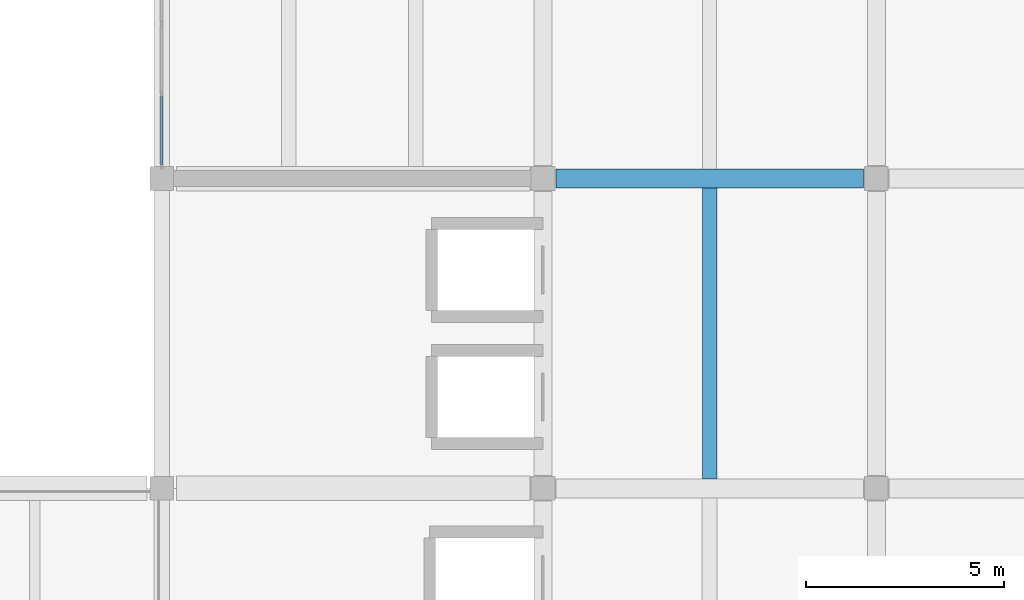
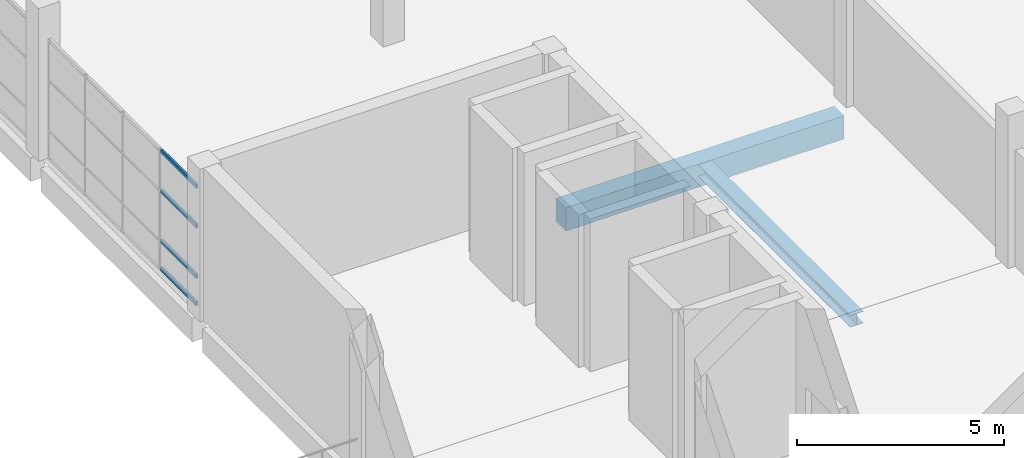
# One storey, part 24 of 71: 4 members, 2 beams, 1 element without a shape of its own.
"""IFC4 building model written with IfcOpenShell, lengths in metres."""

import ifcopenshell
import ifcopenshell.guid

model = None  # the IFC model being written
_history = None  # IfcOwnerHistory: only IFC2X3 demands one
_inside = {}  # id of a spatial element -> (the spatial element, [elements in it])
_under = {}  # id of a project, library or spatial element -> (it, [spatial elements below it])
_declared = {}  # id of a project -> (the project, [libraries it declares])
_typed = {}  # id of a type object -> (the type object, [elements of that type])
_made_of = {}  # id of a material, layer set ... -> (it, [elements and type objects made of it])


def new_model(schema):
    """Start an empty IFC model of exactly this schema.

    Asked for "IFC4X3", IfcOpenShell would pick the latest addendum, in which some entities
    have other attributes; the version numbers below select the first issue.
    IFC2X3 requires an IfcOwnerHistory on every rooted entity: one is made here for all.
    """
    global model, _history
    if schema == "IFC4X3":
        model = ifcopenshell.file(schema_version=(4, 3, 0, 0))
    else:
        model = ifcopenshell.file(schema=schema)
    _inside.clear()
    _under.clear()
    _declared.clear()
    _typed.clear()
    _made_of.clear()
    _history = None
    if model.schema == "IFC2X3":
        org = make("IfcOrganization", Name="unknown")
        user = make(
            "IfcPersonAndOrganization",
            ThePerson=make("IfcPerson", FamilyName="unknown"),
            TheOrganization=org,
        )
        app = make(
            "IfcApplication",
            ApplicationDeveloper=org,
            Version="unknown",
            ApplicationFullName="unknown",
            ApplicationIdentifier="unknown",
        )
        _history = make(
            "IfcOwnerHistory",
            OwningUser=user,
            OwningApplication=app,
            ChangeAction="ADDED",
            CreationDate=0,
        )
    return model


def make(cls, **values):
    """One entity of the class cls with the attributes given. An attribute that is None is left unset."""
    return model.create_entity(
        cls, **{name: value for name, value in values.items() if value is not None}
    )


def rooted(cls, **values):
    """An entity with a GlobalId (a new one), such as an element, a storey or a relation."""
    return make(cls, GlobalId=ifcopenshell.guid.new(), OwnerHistory=_history, **values)


def si_unit(unit_type, name, prefix=None):
    """IfcSIUnit, for example si_unit("LENGTHUNIT", "METRE", prefix="MILLI")."""
    return make("IfcSIUnit", UnitType=unit_type, Prefix=prefix, Name=name)


def assignment(units):
    """IfcUnitAssignment: the units of a project."""
    return None if units is None else make("IfcUnitAssignment", Units=units)


def point(xyz):
    """IfcCartesianPoint."""
    return None if xyz is None else make("IfcCartesianPoint", Coordinates=xyz)


def direction(xyz):
    """IfcDirection."""
    return None if xyz is None else make("IfcDirection", DirectionRatios=xyz)


def frame(location, z_axis=None, x_axis=None):
    """IfcAxis2Placement3D, a coordinate frame: its origin and axes. An axis left out is left unset."""
    return make(
        "IfcAxis2Placement3D",
        Location=point(location),
        Axis=direction(z_axis),
        RefDirection=direction(x_axis),
    )


def frame_2d(location, x_axis=None):
    """IfcAxis2Placement2D, a coordinate frame in the plane: its origin and x axis."""
    return make(
        "IfcAxis2Placement2D", Location=point(location), RefDirection=direction(x_axis)
    )


def origin():
    """The frame at (0, 0, 0) with its axes left unset."""
    return frame((0.0, 0.0, 0.0))


def origin_2d():
    """The frame at (0, 0) in the plane with its x axis left unset."""
    return frame_2d((0.0, 0.0))


def place(relative_to, where):
    """IfcLocalPlacement: puts the frame where relative to a parent placement (None: the world)."""
    return make(
        "IfcLocalPlacement", PlacementRelTo=relative_to, RelativePlacement=where
    )


def context(
    kind, dimensions, precision=None, world=None, true_north=None, identifier=None
):
    """IfcGeometricRepresentationContext, for example the 3D "Model" context."""
    return make(
        "IfcGeometricRepresentationContext",
        ContextIdentifier=identifier,
        ContextType=kind,
        CoordinateSpaceDimension=dimensions,
        Precision=precision,
        WorldCoordinateSystem=world,
        TrueNorth=true_north,
    )


def subcontext(parent, identifier, kind, view, scale=None):
    """IfcGeometricRepresentationSubContext, for example "Body" below "Model"."""
    return make(
        "IfcGeometricRepresentationSubContext",
        ContextIdentifier=identifier,
        ContextType=kind,
        ParentContext=parent,
        TargetScale=scale,
        TargetView=view,
    )


def project(units=None, contexts=None):
    """IfcProject with its units and contexts."""
    return rooted(
        "IfcProject",
        Name="project",
        RepresentationContexts=contexts,
        UnitsInContext=assignment(units),
    )


def spatial(cls, under=None, at=None, **own):
    """A site, building, storey or space (cls), placed at a placement, below another one or the project."""
    s = rooted(cls, ObjectPlacement=at, **own)
    if under is not None:
        _under.setdefault(under.id(), (under, []))[1].append(s)
    return s


def profile(cls, at=None, kind="AREA", **sizes):
    """A parametric profile (cls). Its sizes go by their IFC names, for example OverallWidth=200.0."""
    return make(cls, ProfileType=kind, Position=at, **sizes)


def rectangle(**sizes):
    """IfcRectangleProfileDef."""
    return profile("IfcRectangleProfileDef", **sizes)


def hollow_rectangle(**sizes):
    """IfcRectangleHollowProfileDef."""
    return profile("IfcRectangleHollowProfileDef", **sizes)


def i_section(**sizes):
    """IfcIShapeProfileDef."""
    return profile("IfcIShapeProfileDef", **sizes)


def extrude(swept, where, along, depth):
    """IfcExtrudedAreaSolid: the profile swept, set in the frame where, extruded along a direction by depth."""
    return make(
        "IfcExtrudedAreaSolid",
        SweptArea=swept,
        Position=where,
        ExtrudedDirection=direction(along),
        Depth=depth,
    )


def shape(context_of_items, identifier, shape_type, items):
    """IfcShapeRepresentation: the items that make up one representation, for example the "Body"."""
    return make(
        "IfcShapeRepresentation",
        ContextOfItems=context_of_items,
        RepresentationIdentifier=identifier,
        RepresentationType=shape_type,
        Items=items,
    )


def material(Name=None, Category=None):
    """IfcMaterial."""
    return make("IfcMaterial", Name=Name, Category=Category)


def material_profile(
    of_material, cross_section, Name=None, Category=None, Priority=None
):
    """IfcMaterialProfile: a cross section and its material."""
    return make(
        "IfcMaterialProfile",
        Name=Name,
        Material=of_material,
        Profile=cross_section,
        Priority=Priority,
        Category=Category,
    )


def profile_set(profiles, Name=None, composite=None):
    """IfcMaterialProfileSet."""
    return make(
        "IfcMaterialProfileSet",
        Name=Name,
        MaterialProfiles=profiles,
        CompositeProfile=composite,
    )


def made_of(thing, what):
    """Note that an element or type object is made of a material, layer set ...; save() writes the relation."""
    if what is not None:
        _made_of.setdefault(what.id(), (what, []))[1].append(thing)
    return thing


def type_object(cls, material=None, **own):
    """A type object (cls), such as IfcWallType, which elements share."""
    return made_of(rooted(cls, **own), material)


def element(
    cls,
    number,
    at=None,
    inside=None,
    cuts=None,
    type_object=None,
    material=None,
    context=None,
    identifier="Body",
    shape_type=None,
    held_by="IfcProductDefinitionShape",
    body=None,
    shapes=None,
    **own,
):
    """One element of the class cls, such as IfcWall. Its Tag is "e" and its number.

    at: its placement. inside: the storey or other place that contains it. cuts: it is an
    opening in that element (IfcRelVoidsElement). A single representation is given by context,
    identifier, shape_type and body (its items); several are given by shapes. held_by: the class
    of the entity that holds the representations. save() writes the other relations.
    """
    e = rooted(cls, Tag="e%d" % number, ObjectPlacement=at, **own)
    if body is not None:
        shapes = [shape(context, identifier, shape_type, body)]
    if shapes is not None:
        e.Representation = make(held_by, Representations=shapes)
    if inside is not None:
        _inside.setdefault(inside.id(), (inside, []))[1].append(e)
    if cuts is not None:
        rooted(
            "IfcRelVoidsElement", RelatingBuildingElement=cuts, RelatedOpeningElement=e
        )
    if type_object is not None:
        _typed.setdefault(type_object.id(), (type_object, []))[1].append(e)
    return made_of(e, material)


def aggregate(whole, parts):
    """IfcRelAggregates: a whole, such as a stair, and the parts it consists of."""
    return rooted("IfcRelAggregates", RelatingObject=whole, RelatedObjects=parts)


def save(model, path):
    """Write the relations noted so far, then the file.

    IfcRelAggregates (storeys below a building ...), IfcRelContainedInSpatialStructure (elements
    in a storey), IfcRelDefinesByType, IfcRelAssociatesMaterial and IfcRelDeclares: one each for
    every whole, place, type object, material and project.
    """
    for whole, parts in _under.values():
        aggregate(whole, parts)
    for where, things in _inside.values():
        rooted(
            "IfcRelContainedInSpatialStructure",
            RelatedElements=things,
            RelatingStructure=where,
        )
    for kind, things in _typed.values():
        rooted("IfcRelDefinesByType", RelatedObjects=things, RelatingType=kind)
    for what, things in _made_of.values():
        rooted("IfcRelAssociatesMaterial", RelatedObjects=things, RelatingMaterial=what)
    for by, libraries in _declared.values():
        rooted("IfcRelDeclares", RelatingContext=by, RelatedDefinitions=libraries)
    model.write(path)


model = new_model("IFC4")

# Units and contexts
model_context = context("Model", 3, precision=1e-05, world=origin(), true_north=direction((0.0, 1.0)))
body_context = subcontext(model_context, "Body", "Model", "MODEL_VIEW")
ifc_project = project(units=[si_unit("LENGTHUNIT", "METRE"), si_unit("AREAUNIT", "SQUARE_METRE"), si_unit("VOLUMEUNIT", "CUBIC_METRE"), si_unit("PLANEANGLEUNIT", "RADIAN"), si_unit("MASSUNIT", "GRAM", prefix="KILO")], contexts=[model_context])

# Site, building, storey
site_placement = place(None, origin())
site = spatial("IfcSite", under=ifc_project, at=site_placement, CompositionType="ELEMENT")
building_placement = place(site_placement, origin())
building = spatial("IfcBuilding", under=site, at=building_placement, Name="Pellamere Symphony Hall", CompositionType="ELEMENT")
storey_placement = place(building_placement, frame((0.0, 0.0, 15.0)))
storey = spatial("IfcBuildingStorey", under=building, at=storey_placement, Name="L03", CompositionType="ELEMENT", Elevation=15.0)

# Curtain wall, members
ifc_material_1 = material(Name="Thermally Broken Anodised Aluminium 6063-T6 Curtain Wall", Category="aluminium")
curtain_wall_type = type_object("IfcCurtainWallType", Name="Curtain Wall CW-05 (Artists Wing North Studio Ribbon Curtain Wall)", PredefinedType="NOTDEFINED", material=ifc_material_1)
curtain_wall_placement = place(storey_placement, origin())
curtain_wall = element("IfcCurtainWall", 1, at=curtain_wall_placement, inside=storey, type_object=curtain_wall_type, Name="Sculpture Court East Wing Curtain Wall (L03 Bay 1)", PredefinedType="NOTDEFINED")
ifc_material_2 = material(Name="Anodised Architectural Aluminium 6063-T6", Category="aluminium")
ifc_material_profile_1 = material_profile(ifc_material_2, hollow_rectangle(XDim=0.06005859375, YDim=0.1201171875, WallThickness=0.00390625, at=origin_2d()), Name="ALU-T60X120X4")
ifc_profile_set_1 = profile_set([ifc_material_profile_1], Name="Anodised Architectural Aluminium 6063-T6")
member_type = type_object("IfcMemberType", Name="Curtain Wall Transom TR-03 ALU-T60X120X4", PredefinedType="USERDEFINED", material=ifc_profile_set_1)
member_1_placement = place(storey_placement, frame((138.0, 62.159912109375, 0.030029296875), z_axis=(0.0, 1.0, 0.0), x_axis=(-1.0, 0.0, 0.0)))
member_1 = element("IfcMember", 2, at=member_1_placement, type_object=member_type, Name="CW5-142 crystal transom 1.1", ObjectType="TRANSOM", PredefinedType="USERDEFINED", context=body_context, shape_type="SweptSolid", body=[
    extrude(hollow_rectangle(XDim=0.06005859375, YDim=0.1201171875, WallThickness=0.00390625, at=origin_2d()), origin(), (0.0, 0.0, 1.0), 1.710205078125),
])
member_2_placement = place(storey_placement, frame((138.0, 62.159912109375, 0.8447265625), z_axis=(0.0, 1.0, 0.0), x_axis=(-1.0, 0.0, 0.0)))
member_2 = element("IfcMember", 3, at=member_2_placement, type_object=member_type, Name="CW5-142 crystal transom 1.2", ObjectType="TRANSOM", PredefinedType="USERDEFINED", context=body_context, shape_type="SweptSolid", body=[
    extrude(hollow_rectangle(XDim=0.06005859375, YDim=0.1201171875, WallThickness=0.00390625, at=origin_2d()), origin(), (0.0, 0.0, 1.0), 1.710205078125),
])
member_3_placement = place(storey_placement, frame((138.0, 62.159912109375, 2.3232421875), z_axis=(0.0, 1.0, 0.0), x_axis=(-1.0, 0.0, 0.0)))
member_3 = element("IfcMember", 4, at=member_3_placement, type_object=member_type, Name="CW5-142 crystal transom 1.3", ObjectType="TRANSOM", PredefinedType="USERDEFINED", context=body_context, shape_type="SweptSolid", body=[
    extrude(hollow_rectangle(XDim=0.06005859375, YDim=0.1201171875, WallThickness=0.00390625, at=origin_2d()), origin(), (0.0, 0.0, 1.0), 1.710205078125),
])
member_4_placement = place(storey_placement, frame((138.0, 62.159912109375, 3.489990234375), z_axis=(0.0, 1.0, 0.0), x_axis=(-1.0, 0.0, 0.0)))
member_4 = element("IfcMember", 5, at=member_4_placement, type_object=member_type, Name="CW5-142 crystal transom 1.4", ObjectType="TRANSOM", PredefinedType="USERDEFINED", context=body_context, shape_type="SweptSolid", body=[
    extrude(hollow_rectangle(XDim=0.06005859375, YDim=0.1201171875, WallThickness=0.00390625, at=origin_2d()), origin(), (0.0, 0.0, 1.0), 1.710205078125),
])
aggregate(curtain_wall, [member_1, member_2, member_3, member_4])

# Beams
ifc_material_3 = material(Name="Concrete 40 MPa", Category="concrete")
ifc_material_profile_2 = material_profile(ifc_material_3, rectangle(XDim=0.47998046875, YDim=0.679931640625, at=origin_2d()), Name="RC 480x680")
ifc_profile_set_2 = profile_set([ifc_material_profile_2], Name="Concrete 40 MPa")
beam_type_1 = type_object("IfcBeamType", Name="RC CB-19 480x680", PredefinedType="BEAM", material=ifc_profile_set_2)
beam_1_placement = place(storey_placement, frame((147.925048828125, 61.800048828125, -0.60009765625), z_axis=(1.0, 0.0, 0.0), x_axis=(0.0, 1.0, 0.0)))
element("IfcBeam", 6, at=beam_1_placement, inside=storey, type_object=beam_type_1, Name="Girder CB-19-X1562 (L03)", PredefinedType="BEAM", context=body_context, shape_type="SweptSolid", body=[
    extrude(rectangle(XDim=0.47998046875, YDim=0.679931640625, at=origin_2d()), origin(), (0.0, 0.0, 1.0), 7.75),
])
ifc_material_4 = material(Name="Steel CSA G40.21 350W", Category="steel")
ifc_material_profile_3 = material_profile(ifc_material_4, i_section(OverallWidth=0.368896484375, OverallDepth=0.35595703125, WebThickness=0.01123046875, FlangeThickness=0.01806640625, at=origin_2d()), Name="W360X134")
ifc_profile_set_3 = profile_set([ifc_material_profile_3], Name="Steel CSA G40.21 350W")
beam_type_2 = type_object("IfcBeamType", Name="Steel Beam SB-28 W360X134", PredefinedType="BEAM", material=ifc_profile_set_3)
beam_2_placement = place(storey_placement, frame((151.800048828125, 54.239990234375, -0.452880859375), z_axis=(0.0, 1.0, 0.0), x_axis=(-1.0, 0.0, 0.0)))
element("IfcBeam", 7, at=beam_2_placement, inside=storey, type_object=beam_type_2, Name="Secondary Floor Beam SB-28-M1807 (L03)", PredefinedType="BEAM", context=body_context, shape_type="SweptSolid", body=[
    extrude(i_section(OverallWidth=0.368896484375, OverallDepth=0.35595703125, WebThickness=0.01123046875, FlangeThickness=0.01806640625, at=origin_2d()), origin(), (0.0, 0.0, 1.0), 7.320068359375),
])

save(model, "model.ifc")
